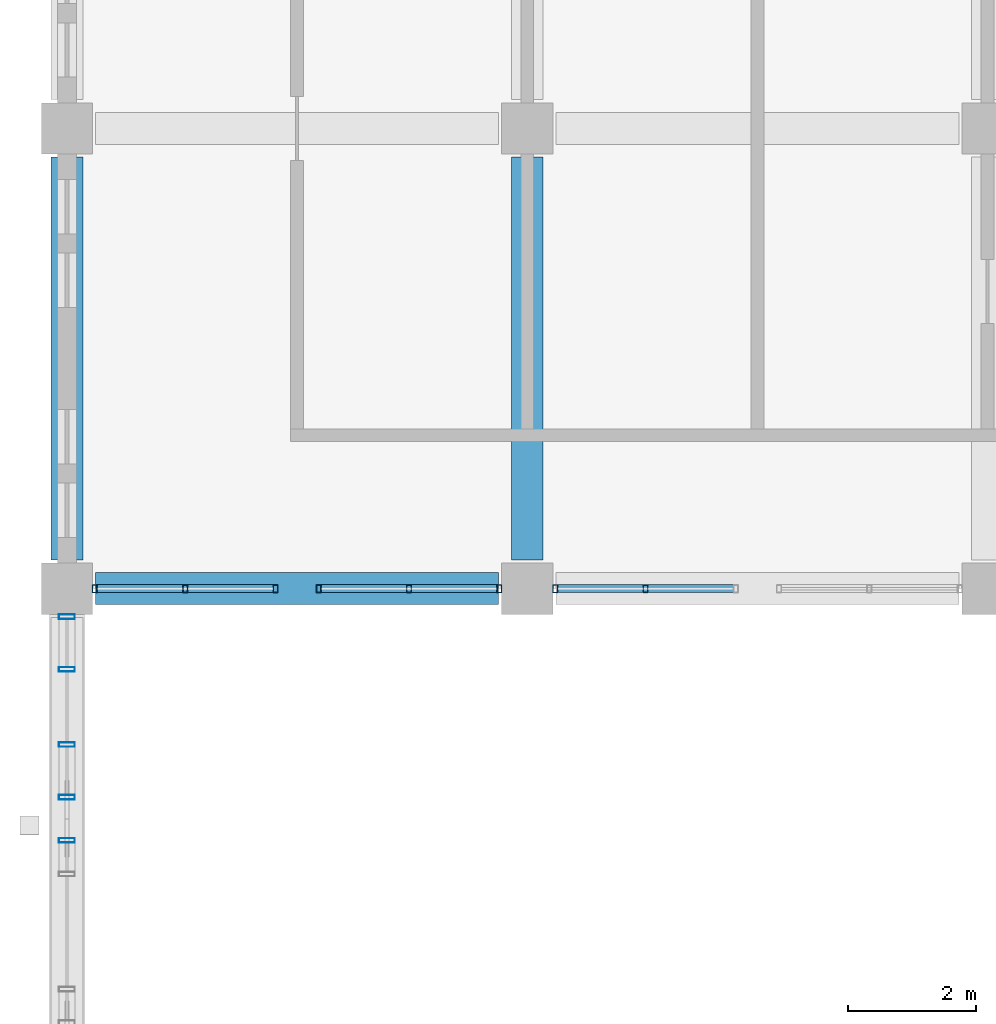
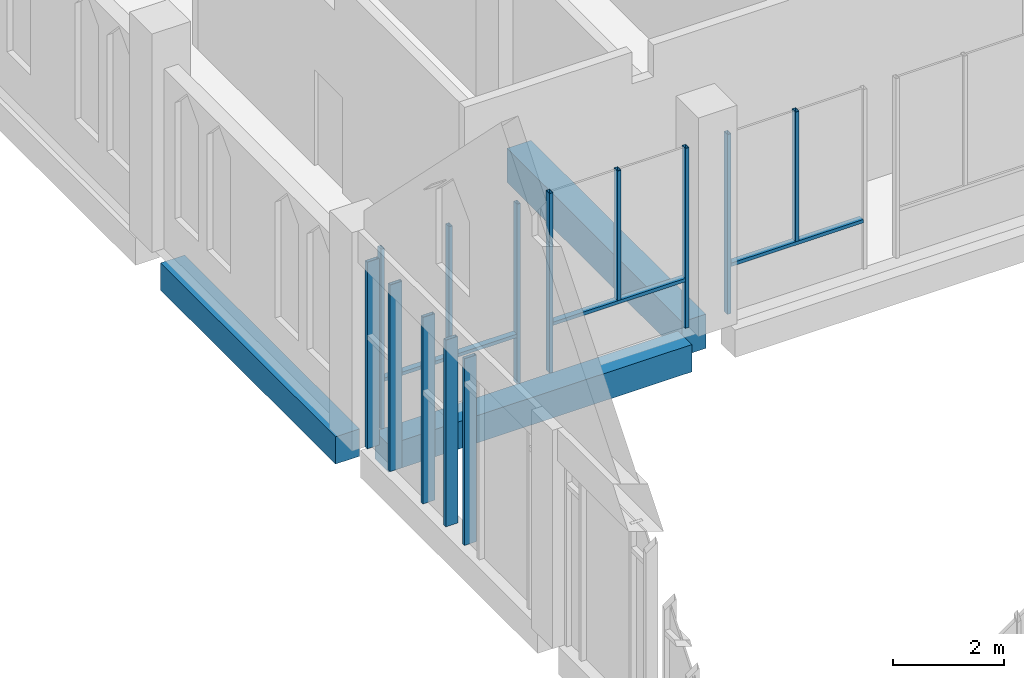
# One storey, part 7 of 31: 16 members, 3 beams, 5 elements without a shape of their own.
"""IFC4 building model written with IfcOpenShell, lengths in metres."""

from ifc_helpers import new_model, si_unit, direction, frame, origin, origin_2d, place, context, subcontext, project, spatial, rectangle, hollow_rectangle, extrude, material, material_profile, profile_set, type_object, element, aggregate, save


model = new_model("IFC4")

# Units and contexts
model_context = context("Model", 3, precision=1e-05, world=origin(), true_north=direction((0.0, 1.0)))
body_context = subcontext(model_context, "Body", "Model", "MODEL_VIEW")
ifc_project = project(units=[si_unit("LENGTHUNIT", "METRE"), si_unit("AREAUNIT", "SQUARE_METRE"), si_unit("VOLUMEUNIT", "CUBIC_METRE"), si_unit("PLANEANGLEUNIT", "RADIAN"), si_unit("MASSUNIT", "GRAM", prefix="KILO")], contexts=[model_context])

# Site, building, storey
site_placement = place(None, origin())
site = spatial("IfcSite", under=ifc_project, at=site_placement, CompositionType="ELEMENT")
building_placement = place(site_placement, origin())
building = spatial("IfcBuilding", under=site, at=building_placement, Name="Silangan Lancet Faculty of Sciences", CompositionType="ELEMENT")
storey_placement = place(building_placement, frame((0.0, 0.0, 36.0)))
storey = spatial("IfcBuildingStorey", under=building, at=storey_placement, Name="L07", CompositionType="ELEMENT", Elevation=36.0)

# Beams
ifc_material_1 = material(Name="Concrete C40/50", Category="concrete")
ifc_material_profile_1 = material_profile(ifc_material_1, rectangle(XDim=0.5, YDim=0.60009765625, at=origin_2d()), Name="RC 500x600")
ifc_profile_set_1 = profile_set([ifc_material_profile_1], Name="Concrete C40/50")
beam_type_1 = type_object("IfcBeamType", Name="BEAM RC 500x600", PredefinedType="BEAM", material=ifc_profile_set_1)
for number, where, z_axis, x_axis, name in (
    (1, (0.449951171875, 36.0, -0.550048828125), (1.0, 0.0, 0.0), (0.0, 1.0, 0.0), "BM-L07-1F-2F"),
    (2, (0.0, 36.449951171875, -0.550048828125), (0.0, 1.0, 0.0), (-1.0, 0.0, 0.0), "BM-L07-1F-1G"),
):
    element("IfcBeam", number, at=place(storey_placement, frame(where, z_axis=z_axis, x_axis=x_axis)), inside=storey, type_object=beam_type_1, Name=name, PredefinedType="BEAM", context=body_context, shape_type="SweptSolid", body=[
        extrude(rectangle(XDim=0.5, YDim=0.60009765625, at=origin_2d()), origin(), (0.0, 0.0, 1.0), 6.300048828125),
    ])
ifc_material_2 = material(Name="Concrete C40/50", Category="concrete")
ifc_material_profile_2 = material_profile(ifc_material_2, rectangle(XDim=0.5, YDim=0.75, at=origin_2d()), Name="RC 500x750")
ifc_profile_set_2 = profile_set([ifc_material_profile_2], Name="Concrete C40/50")
beam_type_2 = type_object("IfcBeamType", Name="BEAM RC 500x750", PredefinedType="BEAM", material=ifc_profile_set_2)
beam_placement = place(storey_placement, frame((7.199951171875, 36.449951171875, -0.625), z_axis=(0.0, 1.0, 0.0), x_axis=(-1.0, 0.0, 0.0)))
element("IfcBeam", 3, at=beam_placement, inside=storey, type_object=beam_type_2, Name="BM-L07-2F-2G", PredefinedType="BEAM", context=body_context, shape_type="SweptSolid", body=[
    extrude(rectangle(XDim=0.5, YDim=0.75, at=origin_2d()), origin(), (0.0, 0.0, 1.0), 6.300048828125),
])

# Curtain wall, members
ifc_material_3 = material(Name="Aluminium framed curtain wall with insulated glass", Category="aluminium")
curtain_wall_type_1 = type_object("IfcCurtainWallType", Name="CW2 Atrium fire-resisting screen", PredefinedType="NOTDEFINED", material=ifc_material_3)
curtain_wall_1_placement = place(storey_placement, origin())
curtain_wall_1 = element("IfcCurtainWall", 4, at=curtain_wall_1_placement, inside=storey, type_object=curtain_wall_type_1, Name="CW2 Atrium north L07 bay 1", PredefinedType="NOTDEFINED")
ifc_material_4 = material(Name="Steel S355J2H", Category="steel")
ifc_material_profile_3 = material_profile(ifc_material_4, hollow_rectangle(XDim=0.074951171875, YDim=0.125, WallThickness=0.0048828125, at=origin_2d()), Name="ST BOX 75x125x5")
ifc_profile_set_3 = profile_set([ifc_material_profile_3], Name="Steel S355J2H")
member_type_1 = type_object("IfcMemberType", Name="CM2 Mullion 75x125", PredefinedType="MULLION", material=ifc_profile_set_3)
member_1_placement = place(storey_placement, frame((0.4375, 36.0, 0.0), z_axis=(0.0, 0.0, 1.0), x_axis=(1.0, 0.0, 0.0)))
member_1 = element("IfcMember", 5, at=member_1_placement, type_object=member_type_1, Name="CW2 Atrium north L07 bay 1 mullion 1", PredefinedType="MULLION", context=body_context, shape_type="SweptSolid", body=[
    extrude(hollow_rectangle(XDim=0.074951171875, YDim=0.125, WallThickness=0.0048828125, at=origin_2d()), origin(), (0.0, 0.0, 1.0), 3.949951171875),
])
member_2_placement = place(storey_placement, frame((3.2626953125, 36.0, 0.0), z_axis=(0.0, 0.0, 1.0), x_axis=(1.0, 0.0, 0.0)))
member_2 = element("IfcMember", 6, at=member_2_placement, type_object=member_type_1, Name="CW2 Atrium north L07 bay 1 mullion 2", PredefinedType="MULLION", context=body_context, shape_type="SweptSolid", body=[
    extrude(hollow_rectangle(XDim=0.074951171875, YDim=0.125, WallThickness=0.0048828125, at=origin_2d()), origin(), (0.0, 0.0, 1.0), 3.949951171875),
])
member_3_placement = place(storey_placement, frame((1.85009765625, 36.0, 1.10009765625), z_axis=(0.0, 0.0, 1.0), x_axis=(1.0, 0.0, 0.0)))
member_3 = element("IfcMember", 7, at=member_3_placement, type_object=member_type_1, Name="CW2 Atrium north L07 bay 1 mullion 3", PredefinedType="MULLION", context=body_context, shape_type="SweptSolid", body=[
    extrude(hollow_rectangle(XDim=0.074951171875, YDim=0.125, WallThickness=0.0048828125, at=origin_2d()), origin(), (0.0, 0.0, 1.0), 2.849853515625),
])

curtain_wall_2_placement = place(storey_placement, origin())
curtain_wall_2 = element("IfcCurtainWall", 8, at=curtain_wall_2_placement, inside=storey, type_object=curtain_wall_type_1, Name="CW2 Atrium north L07 bay 2", PredefinedType="NOTDEFINED")
member_4_placement = place(storey_placement, frame((3.9375, 36.0, 0.0), z_axis=(0.0, 0.0, 1.0), x_axis=(1.0, 0.0, 0.0)))
member_4 = element("IfcMember", 9, at=member_4_placement, type_object=member_type_1, Name="CW2 Atrium north L07 bay 2 mullion 1", PredefinedType="MULLION", context=body_context, shape_type="SweptSolid", body=[
    extrude(hollow_rectangle(XDim=0.074951171875, YDim=0.125, WallThickness=0.0048828125, at=origin_2d()), origin(), (0.0, 0.0, 1.0), 3.949951171875),
])
member_5_placement = place(storey_placement, frame((6.762451171875, 36.0, 0.0), z_axis=(0.0, 0.0, 1.0), x_axis=(1.0, 0.0, 0.0)))
member_5 = element("IfcMember", 10, at=member_5_placement, type_object=member_type_1, Name="CW2 Atrium north L07 bay 2 mullion 2", PredefinedType="MULLION", context=body_context, shape_type="SweptSolid", body=[
    extrude(hollow_rectangle(XDim=0.074951171875, YDim=0.125, WallThickness=0.0048828125, at=origin_2d()), origin(), (0.0, 0.0, 1.0), 3.949951171875),
])
member_6_placement = place(storey_placement, frame((5.35009765625, 36.0, 1.10009765625), z_axis=(0.0, 0.0, 1.0), x_axis=(1.0, 0.0, 0.0)))
member_6 = element("IfcMember", 11, at=member_6_placement, type_object=member_type_1, Name="CW2 Atrium north L07 bay 2 mullion 3", PredefinedType="MULLION", context=body_context, shape_type="SweptSolid", body=[
    extrude(hollow_rectangle(XDim=0.074951171875, YDim=0.125, WallThickness=0.0048828125, at=origin_2d()), origin(), (0.0, 0.0, 1.0), 2.849853515625),
])

curtain_wall_3_placement = place(storey_placement, origin())
curtain_wall_3 = element("IfcCurtainWall", 12, at=curtain_wall_3_placement, inside=storey, type_object=curtain_wall_type_1, Name="CW2 Atrium north L07 bay 3", PredefinedType="NOTDEFINED")
member_7_placement = place(storey_placement, frame((7.637451171875, 36.0, 0.0), z_axis=(0.0, 0.0, 1.0), x_axis=(1.0, 0.0, 0.0)))
member_7 = element("IfcMember", 13, at=member_7_placement, type_object=member_type_1, Name="CW2 Atrium north L07 bay 3 mullion 1", PredefinedType="MULLION", context=body_context, shape_type="SweptSolid", body=[
    extrude(hollow_rectangle(XDim=0.074951171875, YDim=0.125, WallThickness=0.0048828125, at=origin_2d()), origin(), (0.0, 0.0, 1.0), 3.949951171875),
])
member_8_placement = place(storey_placement, frame((9.050048828125, 36.0, 1.10009765625), z_axis=(0.0, 0.0, 1.0), x_axis=(1.0, 0.0, 0.0)))
member_8 = element("IfcMember", 14, at=member_8_placement, type_object=member_type_1, Name="CW2 Atrium north L07 bay 3 mullion 3", PredefinedType="MULLION", context=body_context, shape_type="SweptSolid", body=[
    extrude(hollow_rectangle(XDim=0.074951171875, YDim=0.125, WallThickness=0.0048828125, at=origin_2d()), origin(), (0.0, 0.0, 1.0), 2.849853515625),
])

# Curtain wall, member
ifc_material_5 = material(Name="Aluminium framed curtain wall with insulated glass", Category="aluminium")
curtain_wall_type_2 = type_object("IfcCurtainWallType", Name="CW6 West window middle bays", PredefinedType="NOTDEFINED", material=ifc_material_5)
curtain_wall_4_placement = place(storey_placement, origin())
curtain_wall_4 = element("IfcCurtainWall", 15, at=curtain_wall_4_placement, inside=storey, type_object=curtain_wall_type_2, Name="CW6 West window L07 bay 3", PredefinedType="NOTDEFINED")
ifc_material_6 = material(Name="Aluminium 6063-T6 extrusion", Category="aluminium")
ifc_material_profile_4 = material_profile(ifc_material_6, hollow_rectangle(XDim=0.074951171875, YDim=0.25, WallThickness=0.006103515625, at=origin_2d()), Name="AL BOX 75x250x6")
ifc_profile_set_4 = profile_set([ifc_material_profile_4], Name="Aluminium 6063-T6 extrusion")
member_type_2 = type_object("IfcMemberType", Name="CM3 Mullion 75x250", PredefinedType="MULLION", material=ifc_profile_set_4)
member_9_placement = place(storey_placement, frame((0.0, 32.0625, 0.0), z_axis=(0.0, 0.0, 1.0), x_axis=(0.0, 1.0, 0.0)))
member_9 = element("IfcMember", 16, at=member_9_placement, type_object=member_type_2, Name="CW6 West window L07 bay 3 mullion 2", PredefinedType="MULLION", context=body_context, shape_type="SweptSolid", body=[
    extrude(hollow_rectangle(XDim=0.074951171875, YDim=0.25, WallThickness=0.006103515625, at=origin_2d()), origin(), (0.0, 0.0, 1.0), 4.10009765625),
])
aggregate(curtain_wall_4, [member_9])

# Curtain wall, members
ifc_material_7 = material(Name="Aluminium framed curtain wall with insulated glass", Category="aluminium")
curtain_wall_type_3 = type_object("IfcCurtainWallType", Name="CW3 West stepped lancet window", PredefinedType="NOTDEFINED", material=ifc_material_7)
curtain_wall_5_placement = place(storey_placement, origin())
curtain_wall_5 = element("IfcCurtainWall", 17, at=curtain_wall_5_placement, inside=storey, type_object=curtain_wall_type_3, Name="CW3 West window L07 bay 4", PredefinedType="NOTDEFINED")
member_10_placement = place(storey_placement, frame((0.0, 32.7373046875, 0.0), z_axis=(0.0, 0.0, 1.0), x_axis=(0.0, 1.0, 0.0)))
member_10 = element("IfcMember", 18, at=member_10_placement, type_object=member_type_2, Name="CW3 West window L07 bay 4 mullion 1", PredefinedType="MULLION", context=body_context, shape_type="SweptSolid", body=[
    extrude(hollow_rectangle(XDim=0.074951171875, YDim=0.25, WallThickness=0.006103515625, at=origin_2d()), origin(), (0.0, 0.0, 1.0), 4.10009765625),
])
member_11_placement = place(storey_placement, frame((0.0, 35.5625, 0.0), z_axis=(0.0, 0.0, 1.0), x_axis=(0.0, 1.0, 0.0)))
member_11 = element("IfcMember", 19, at=member_11_placement, type_object=member_type_2, Name="CW3 West window L07 bay 4 mullion 2", PredefinedType="MULLION", context=body_context, shape_type="SweptSolid", body=[
    extrude(hollow_rectangle(XDim=0.074951171875, YDim=0.25, WallThickness=0.006103515625, at=origin_2d()), origin(), (0.0, 0.0, 1.0), 4.10009765625),
])
member_12_placement = place(storey_placement, frame((0.0, 33.5625, 0.0), z_axis=(0.0, 0.0, 1.0), x_axis=(0.0, 1.0, 0.0)))
member_12 = element("IfcMember", 20, at=member_12_placement, type_object=member_type_2, Name="CW3 West window L07 bay 4 mullion 3", PredefinedType="MULLION", context=body_context, shape_type="SweptSolid", body=[
    extrude(hollow_rectangle(XDim=0.074951171875, YDim=0.25, WallThickness=0.006103515625, at=origin_2d()), origin(), (0.0, 0.0, 1.0), 4.10009765625),
])
member_13_placement = place(storey_placement, frame((0.0, 34.737548828125, 0.0), z_axis=(0.0, 0.0, 1.0), x_axis=(0.0, 1.0, 0.0)))
member_13 = element("IfcMember", 21, at=member_13_placement, type_object=member_type_2, Name="CW3 West window L07 bay 4 mullion 4", PredefinedType="MULLION", context=body_context, shape_type="SweptSolid", body=[
    extrude(hollow_rectangle(XDim=0.074951171875, YDim=0.25, WallThickness=0.006103515625, at=origin_2d()), origin(), (0.0, 0.0, 1.0), 4.10009765625),
])
aggregate(curtain_wall_5, [member_10, member_11, member_12, member_13])

# Member
ifc_material_8 = material(Name="Steel S355J2H", Category="steel")
ifc_material_profile_5 = material_profile(ifc_material_8, hollow_rectangle(XDim=0.125, YDim=0.074951171875, WallThickness=0.0048828125, at=origin_2d()), Name="ST BOX 125x75x5")
ifc_profile_set_5 = profile_set([ifc_material_profile_5], Name="Steel S355J2H")
member_type_3 = type_object("IfcMemberType", Name="CT2 Transom 125x75", PredefinedType="USERDEFINED", material=ifc_profile_set_5)
member_14_placement = place(storey_placement, frame((0.47509765625, 36.0, 1.0625), z_axis=(1.0, 0.0, 0.0), x_axis=(0.0, 1.0, 0.0)))
member_14 = element("IfcMember", 22, at=member_14_placement, type_object=member_type_3, Name="CW2 Atrium north L07 bay 1 transom 1", ObjectType="TRANSOM", PredefinedType="USERDEFINED", context=body_context, shape_type="SweptSolid", body=[
    extrude(hollow_rectangle(XDim=0.125, YDim=0.074951171875, WallThickness=0.0048828125, at=origin_2d()), origin(), (0.0, 0.0, 1.0), 2.75),
])

aggregate(curtain_wall_1, [member_1, member_2, member_3, member_14])

member_15_placement = place(storey_placement, frame((3.97509765625, 36.0, 1.0625), z_axis=(1.0, 0.0, 0.0), x_axis=(0.0, 1.0, 0.0)))
member_15 = element("IfcMember", 23, at=member_15_placement, type_object=member_type_3, Name="CW2 Atrium north L07 bay 2 transom 1", ObjectType="TRANSOM", PredefinedType="USERDEFINED", context=body_context, shape_type="SweptSolid", body=[
    extrude(hollow_rectangle(XDim=0.125, YDim=0.074951171875, WallThickness=0.0048828125, at=origin_2d()), origin(), (0.0, 0.0, 1.0), 2.75),
])

aggregate(curtain_wall_2, [member_4, member_5, member_6, member_15])

member_16_placement = place(storey_placement, frame((7.675048828125, 36.0, 1.0625), z_axis=(1.0, 0.0, 0.0), x_axis=(0.0, 1.0, 0.0)))
member_16 = element("IfcMember", 24, at=member_16_placement, type_object=member_type_3, Name="CW2 Atrium north L07 bay 3 transom 1", ObjectType="TRANSOM", PredefinedType="USERDEFINED", context=body_context, shape_type="SweptSolid", body=[
    extrude(hollow_rectangle(XDim=0.125, YDim=0.074951171875, WallThickness=0.0048828125, at=origin_2d()), origin(), (0.0, 0.0, 1.0), 2.75),
])

aggregate(curtain_wall_3, [member_7, member_8, member_16])

save(model, "model.ifc")
